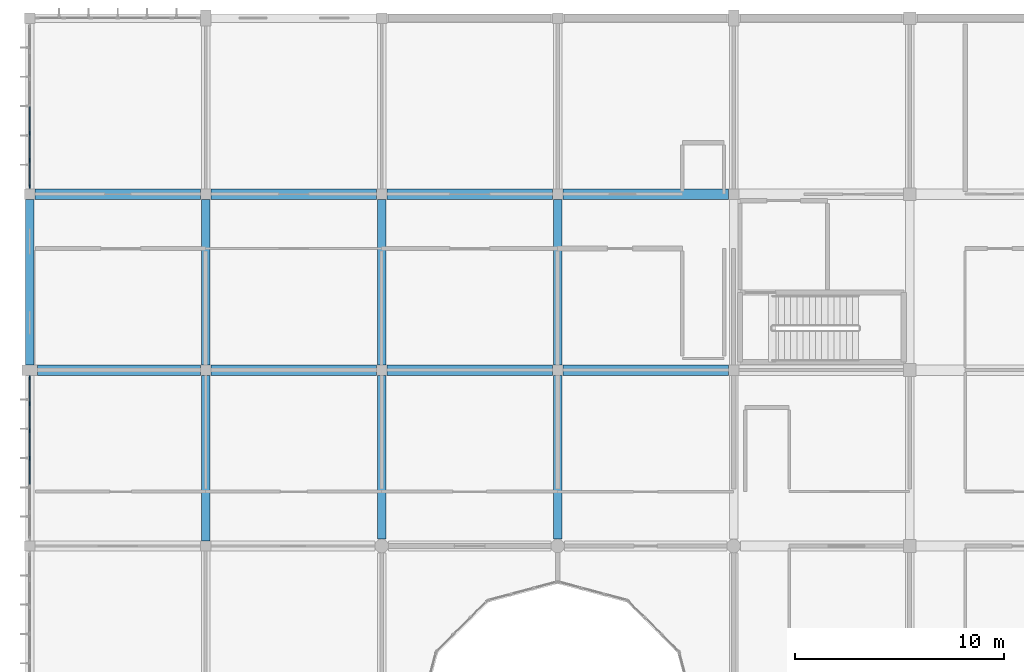
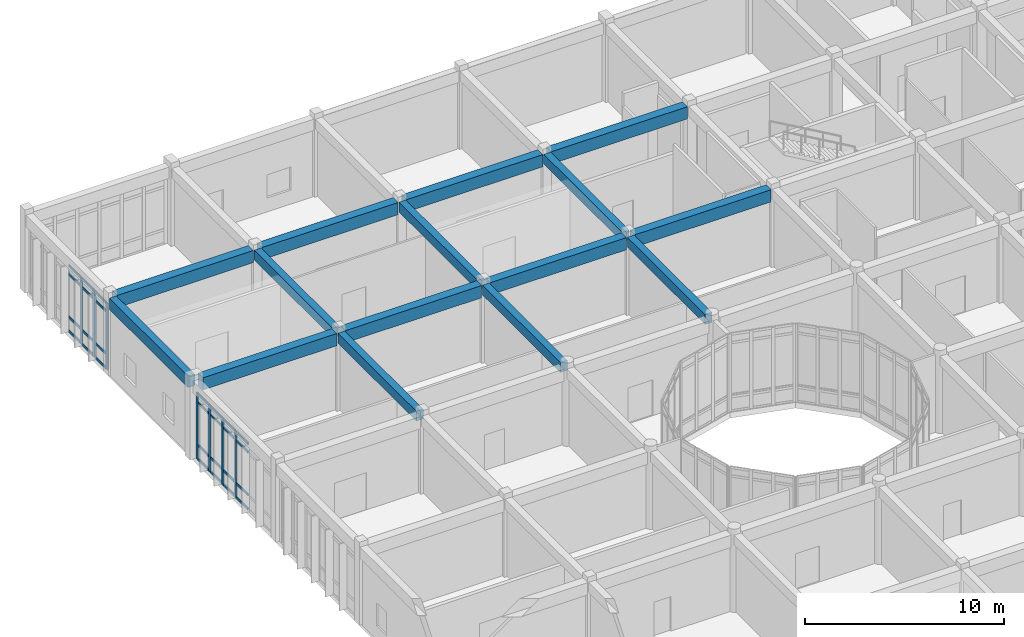
# One storey, part 39 of 134: 35 members, 15 beams, 2 elements without a shape of their own.
"""IFC4 building model written with IfcOpenShell, lengths in metres."""

from ifc_helpers import new_model, si_unit, direction, frame, origin, origin_2d, place, context, subcontext, project, spatial, rectangle, extrude, material, layer, layer_set, material_profile, profile_set, type_object, element, aggregate, save


model = new_model("IFC4")

# Units and contexts
model_context = context("Model", 3, precision=1e-05, world=origin(), true_north=direction((0.0, 1.0)))
body_context = subcontext(model_context, "Body", "Model", "MODEL_VIEW")
ifc_project = project(units=[si_unit("LENGTHUNIT", "METRE"), si_unit("AREAUNIT", "SQUARE_METRE"), si_unit("VOLUMEUNIT", "CUBIC_METRE"), si_unit("PLANEANGLEUNIT", "RADIAN"), si_unit("MASSUNIT", "GRAM", prefix="KILO")], contexts=[model_context])

# Site, building, storey
site_placement = place(None, origin())
site = spatial("IfcSite", under=ifc_project, at=site_placement, CompositionType="ELEMENT")
building_placement = place(site_placement, origin())
building = spatial("IfcBuilding", under=site, at=building_placement, Name="Bramfleet General Hospital", CompositionType="ELEMENT")
storey_placement = place(building_placement, frame((0.0, 0.0, 9.300048828125)))
storey = spatial("IfcBuildingStorey", under=building, at=storey_placement, Name="L02", CompositionType="ELEMENT", Elevation=9.300048828125)

# Beams
ifc_material_1 = material(Name="Concrete C35/45", Category="concrete")
ifc_material_profile_1 = material_profile(ifc_material_1, rectangle(XDim=0.39990234375, YDim=0.60009765625, at=origin_2d()), Name="RC BM 600x400")
ifc_profile_set_1 = profile_set([ifc_material_profile_1], Name="Concrete C35/45")
beam_type_1 = type_object("IfcBeamType", Name="BM-RC600", PredefinedType="BEAM", material=ifc_profile_set_1)
beam_1_placement = place(storey_placement, frame((8.39990234375, 92.64990234375, 4.47998046875), z_axis=(0.0, 1.0, 0.0), x_axis=(-1.0, 0.0, 0.0)))
element("IfcBeam", 1, at=beam_1_placement, inside=storey, type_object=beam_type_1, Name="L02 Grid Beam Y 01-11", PredefinedType="BEAM", context=body_context, shape_type="SweptSolid", body=[
    extrude(rectangle(XDim=0.39990234375, YDim=0.60009765625, at=origin_2d()), origin(), (0.0, 0.0, 1.0), 7.900146484375),
])
beam_2_placement = place(storey_placement, frame((8.39990234375, 101.050048828125, 4.47998046875), z_axis=(0.0, 1.0, 0.0), x_axis=(-1.0, 0.0, 0.0)))
element("IfcBeam", 2, at=beam_2_placement, inside=storey, type_object=beam_type_1, Name="L02 Grid Beam Y 01-12", PredefinedType="BEAM", context=body_context, shape_type="SweptSolid", body=[
    extrude(rectangle(XDim=0.39990234375, YDim=0.60009765625, at=origin_2d()), origin(), (0.0, 0.0, 1.0), 7.89990234375),
])
beam_3_placement = place(storey_placement, frame((16.800048828125, 92.72509765625, 4.47998046875), z_axis=(0.0, 1.0, 0.0), x_axis=(-1.0, 0.0, 0.0)))
element("IfcBeam", 3, at=beam_3_placement, inside=storey, type_object=beam_type_1, Name="L02 Grid Beam Y 02-11", PredefinedType="BEAM", context=body_context, shape_type="SweptSolid", body=[
    extrude(rectangle(XDim=0.39990234375, YDim=0.60009765625, at=origin_2d()), origin(), (0.0, 0.0, 1.0), 7.824951171875),
])
beam_4_placement = place(storey_placement, frame((16.800048828125, 101.050048828125, 4.47998046875), z_axis=(0.0, 1.0, 0.0), x_axis=(-1.0, 0.0, 0.0)))
element("IfcBeam", 4, at=beam_4_placement, inside=storey, type_object=beam_type_1, Name="L02 Grid Beam Y 02-12", PredefinedType="BEAM", context=body_context, shape_type="SweptSolid", body=[
    extrude(rectangle(XDim=0.39990234375, YDim=0.60009765625, at=origin_2d()), origin(), (0.0, 0.0, 1.0), 7.89990234375),
])
beam_5_placement = place(storey_placement, frame((25.199951171875, 92.72509765625, 4.47998046875), z_axis=(0.0, 1.0, 0.0), x_axis=(-1.0, 0.0, 0.0)))
element("IfcBeam", 5, at=beam_5_placement, inside=storey, type_object=beam_type_1, Name="L02 Grid Beam Y 03-11", PredefinedType="BEAM", context=body_context, shape_type="SweptSolid", body=[
    extrude(rectangle(XDim=0.39990234375, YDim=0.60009765625, at=origin_2d()), origin(), (0.0, 0.0, 1.0), 7.824951171875),
])
beam_6_placement = place(storey_placement, frame((25.199951171875, 101.050048828125, 4.47998046875), z_axis=(0.0, 1.0, 0.0), x_axis=(-1.0, 0.0, 0.0)))
element("IfcBeam", 6, at=beam_6_placement, inside=storey, type_object=beam_type_1, Name="L02 Grid Beam Y 03-12", PredefinedType="BEAM", context=body_context, shape_type="SweptSolid", body=[
    extrude(rectangle(XDim=0.39990234375, YDim=0.60009765625, at=origin_2d()), origin(), (0.0, 0.0, 1.0), 7.89990234375),
])
ifc_material_profile_2 = material_profile(ifc_material_1, rectangle(XDim=0.5, YDim=0.75, at=origin_2d()), Name="RC BM 750x500")
ifc_profile_set_2 = profile_set([ifc_material_profile_2], Name="Concrete C35/45")
beam_type_2 = type_object("IfcBeamType", Name="BM-RC750", PredefinedType="BEAM", material=ifc_profile_set_2)
beam_7_placement = place(storey_placement, frame((0.375, 100.800048828125, 4.405029296875), z_axis=(1.0, 0.0, 0.0), x_axis=(0.0, 1.0, 0.0)))
element("IfcBeam", 7, at=beam_7_placement, inside=storey, type_object=beam_type_2, Name="L02 Grid Beam X 00-12", PredefinedType="BEAM", context=body_context, shape_type="SweptSolid", body=[
    extrude(rectangle(XDim=0.5, YDim=0.75, at=origin_2d()), origin(), (0.0, 0.0, 1.0), 7.77490234375),
])
beam_8_placement = place(storey_placement, frame((0.25, 109.199951171875, 4.405029296875), z_axis=(1.0, 0.0, 0.0), x_axis=(0.0, 1.0, 0.0)))
element("IfcBeam", 8, at=beam_8_placement, inside=storey, type_object=beam_type_2, Name="L02 Grid Beam X 00-13", PredefinedType="BEAM", context=body_context, shape_type="SweptSolid", body=[
    extrude(rectangle(XDim=0.5, YDim=0.75, at=origin_2d()), origin(), (0.0, 0.0, 1.0), 7.89990234375),
])
for number, where, z_axis, x_axis, name in (
    (9, (8.64990234375, 100.800048828125, 4.405029296875), (1.0, 0.0, 0.0), (0.0, 1.0, 0.0), "L02 Grid Beam X 01-12"),
    (10, (8.64990234375, 109.199951171875, 4.405029296875), (1.0, 0.0, 0.0), (0.0, 1.0, 0.0), "L02 Grid Beam X 01-13"),
):
    element("IfcBeam", number, at=place(storey_placement, frame(where, z_axis=z_axis, x_axis=x_axis)), inside=storey, type_object=beam_type_2, Name=name, PredefinedType="BEAM", context=body_context, shape_type="SweptSolid", body=[
        extrude(rectangle(XDim=0.5, YDim=0.75, at=origin_2d()), origin(), (0.0, 0.0, 1.0), 7.900146484375),
    ])
for number, where, z_axis, x_axis, name in (
    (11, (17.050048828125, 100.800048828125, 4.405029296875), (1.0, 0.0, 0.0), (0.0, 1.0, 0.0), "L02 Grid Beam X 02-12"),
    (12, (17.050048828125, 109.199951171875, 4.405029296875), (1.0, 0.0, 0.0), (0.0, 1.0, 0.0), "L02 Grid Beam X 02-13"),
):
    element("IfcBeam", number, at=place(storey_placement, frame(where, z_axis=z_axis, x_axis=x_axis)), inside=storey, type_object=beam_type_2, Name=name, PredefinedType="BEAM", context=body_context, shape_type="SweptSolid", body=[
        extrude(rectangle(XDim=0.5, YDim=0.75, at=origin_2d()), origin(), (0.0, 0.0, 1.0), 7.89990234375),
    ])
for number, where, z_axis, x_axis, name in (
    (13, (25.449951171875, 100.800048828125, 4.405029296875), (1.0, 0.0, 0.0), (0.0, 1.0, 0.0), "L02 Grid Beam X 03-12"),
    (14, (25.449951171875, 109.199951171875, 4.405029296875), (1.0, 0.0, 0.0), (0.0, 1.0, 0.0), "L02 Grid Beam X 03-13"),
):
    element("IfcBeam", number, at=place(storey_placement, frame(where, z_axis=z_axis, x_axis=x_axis)), inside=storey, type_object=beam_type_2, Name=name, PredefinedType="BEAM", context=body_context, shape_type="SweptSolid", body=[
        extrude(rectangle(XDim=0.5, YDim=0.75, at=origin_2d()), origin(), (0.0, 0.0, 1.0), 7.900146484375),
    ])
ifc_material_profile_3 = material_profile(ifc_material_1, rectangle(XDim=0.39990234375, YDim=0.699951171875, at=origin_2d()), Name="RC SP 700x400")
ifc_profile_set_3 = profile_set([ifc_material_profile_3], Name="Concrete C35/45")
beam_type_3 = type_object("IfcBeamType", Name="BM-SP700", PredefinedType="SPANDREL", material=ifc_profile_set_3)
beam_9_placement = place(storey_placement, frame((0.0, 101.050048828125, 4.429931640625), z_axis=(0.0, 1.0, 0.0), x_axis=(-1.0, 0.0, 0.0)))
element("IfcBeam", 15, at=beam_9_placement, inside=storey, type_object=beam_type_3, Name="L02 Grid Beam Y 00-12", PredefinedType="SPANDREL", context=body_context, shape_type="SweptSolid", body=[
    extrude(rectangle(XDim=0.39990234375, YDim=0.699951171875, at=origin_2d()), origin(), (0.0, 0.0, 1.0), 7.89990234375),
])

# Curtain wall, members
ifc_material_2 = material(Name="Anodised aluminium and low-E triple glazing", Category="aluminium")
ifc_layer_1 = layer(ifc_material_2, 0.179931640625, Name="CWT-CW-06")
ifc_layer_set_1 = layer_set([ifc_layer_1], Name="Anodised aluminium and low-E triple glazing")
curtain_wall_type_1 = type_object("IfcCurtainWallType", Name="CWT-CW-06", PredefinedType="USERDEFINED", material=ifc_layer_set_1)
curtain_wall_1_placement = place(storey_placement, origin())
curtain_wall_1 = element("IfcCurtainWall", 16, at=curtain_wall_1_placement, inside=storey, type_object=curtain_wall_type_1, Name="L02 Curtain Wall 96", ObjectType="Unitised curtain wall", PredefinedType="USERDEFINED")
ifc_material_3 = material(Name="Structural timber GL28h", Category="wood")
ifc_material_profile_4 = material_profile(ifc_material_3, rectangle(XDim=0.070068359375, YDim=0.18994140625, at=origin_2d()), Name="LARCH 190x70")
ifc_profile_set_4 = profile_set([ifc_material_profile_4], Name="Structural timber GL28h")
member_type_1 = type_object("IfcMemberType", Name="CWM-LARCH450", PredefinedType="MULLION", material=ifc_profile_set_4)
member_1_placement = place(storey_placement, frame((0.0, 96.60009765625, 0.0), z_axis=(0.0, 0.0, 1.0), x_axis=(-1.0, 0.0, 0.0)))
member_1 = element("IfcMember", 17, at=member_1_placement, type_object=member_type_1, Name="CW-06 mullion 4", PredefinedType="MULLION", context=body_context, shape_type="SweptSolid", body=[
    extrude(rectangle(XDim=0.070068359375, YDim=0.18994140625, at=origin_2d()), origin(), (0.0, 0.0, 1.0), 4.070068359375),
])
member_2_placement = place(storey_placement, frame((0.0, 97.8916015625, 0.0), z_axis=(0.0, 0.0, 1.0), x_axis=(-1.0, 0.0, 0.0)))
member_2 = element("IfcMember", 18, at=member_2_placement, type_object=member_type_1, Name="CW-06 mullion 5", PredefinedType="MULLION", context=body_context, shape_type="SweptSolid", body=[
    extrude(rectangle(XDim=0.070068359375, YDim=0.18994140625, at=origin_2d()), origin(), (0.0, 0.0, 1.0), 4.070068359375),
])
member_3_placement = place(storey_placement, frame((0.0, 99.183349609375, 0.0), z_axis=(0.0, 0.0, 1.0), x_axis=(-1.0, 0.0, 0.0)))
member_3 = element("IfcMember", 19, at=member_3_placement, type_object=member_type_1, Name="CW-06 mullion 6", PredefinedType="MULLION", context=body_context, shape_type="SweptSolid", body=[
    extrude(rectangle(XDim=0.070068359375, YDim=0.18994140625, at=origin_2d()), origin(), (0.0, 0.0, 1.0), 4.070068359375),
])
member_4_placement = place(storey_placement, frame((0.0, 100.43994140625, 0.0), z_axis=(0.0, 0.0, 1.0), x_axis=(-1.0, 0.0, 0.0)))
member_4 = element("IfcMember", 20, at=member_4_placement, type_object=member_type_1, Name="CW-06 mullion 7", PredefinedType="MULLION", context=body_context, shape_type="SweptSolid", body=[
    extrude(rectangle(XDim=0.070068359375, YDim=0.18994140625, at=origin_2d()), origin(), (0.0, 0.0, 1.0), 4.070068359375),
])

ifc_layer_2 = layer(ifc_material_2, 0.179931640625, Name="CWT-CW-07")
ifc_layer_set_2 = layer_set([ifc_layer_2], Name="Anodised aluminium and low-E triple glazing")
curtain_wall_type_2 = type_object("IfcCurtainWallType", Name="CWT-CW-07", PredefinedType="USERDEFINED", material=ifc_layer_set_2)
curtain_wall_2_placement = place(storey_placement, origin())
curtain_wall_2 = element("IfcCurtainWall", 21, at=curtain_wall_2_placement, inside=storey, type_object=curtain_wall_type_2, Name="L02 Curtain Wall 97", ObjectType="Unitised curtain wall", PredefinedType="USERDEFINED")
member_5_placement = place(storey_placement, frame((0.0, 109.56005859375, 0.0), z_axis=(0.0, 0.0, 1.0), x_axis=(-1.0, 0.0, 0.0)))
member_5 = element("IfcMember", 22, at=member_5_placement, type_object=member_type_1, Name="CW-07 mullion 1", PredefinedType="MULLION", context=body_context, shape_type="SweptSolid", body=[
    extrude(rectangle(XDim=0.070068359375, YDim=0.18994140625, at=origin_2d()), origin(), (0.0, 0.0, 1.0), 4.070068359375),
])
member_6_placement = place(storey_placement, frame((0.0, 110.816650390625, 0.0), z_axis=(0.0, 0.0, 1.0), x_axis=(-1.0, 0.0, 0.0)))
member_6 = element("IfcMember", 23, at=member_6_placement, type_object=member_type_1, Name="CW-07 mullion 2", PredefinedType="MULLION", context=body_context, shape_type="SweptSolid", body=[
    extrude(rectangle(XDim=0.070068359375, YDim=0.18994140625, at=origin_2d()), origin(), (0.0, 0.0, 1.0), 4.070068359375),
])
member_7_placement = place(storey_placement, frame((0.0, 112.1083984375, 0.0), z_axis=(0.0, 0.0, 1.0), x_axis=(-1.0, 0.0, 0.0)))
member_7 = element("IfcMember", 24, at=member_7_placement, type_object=member_type_1, Name="CW-07 mullion 3", PredefinedType="MULLION", context=body_context, shape_type="SweptSolid", body=[
    extrude(rectangle(XDim=0.070068359375, YDim=0.18994140625, at=origin_2d()), origin(), (0.0, 0.0, 1.0), 4.070068359375),
])

# Member
ifc_material_profile_5 = material_profile(ifc_material_3, rectangle(XDim=0.06494140625, YDim=0.14990234375, at=origin_2d()), Name="LARCH 150x65")
ifc_profile_set_5 = profile_set([ifc_material_profile_5], Name="Structural timber GL28h")
member_type_2 = type_object("IfcMemberType", Name="CWT-LARCH220", PredefinedType="USERDEFINED", material=ifc_profile_set_5)
member_8_placement = place(storey_placement, frame((0.0, 95.34326171875, 0.032470703125), z_axis=(0.0, 1.0, 0.0), x_axis=(-1.0, 0.0, 0.0)))
member_8 = element("IfcMember", 25, at=member_8_placement, type_object=member_type_2, Name="CW-06 transom 3.1", ObjectType="TRANSOM", PredefinedType="USERDEFINED", context=body_context, shape_type="SweptSolid", body=[
    extrude(rectangle(XDim=0.06494140625, YDim=0.14990234375, at=origin_2d()), origin(), (0.0, 0.0, 1.0), 1.2216796875),
])

member_9_placement = place(storey_placement, frame((0.0, 95.34326171875, 0.89990234375), z_axis=(0.0, 1.0, 0.0), x_axis=(-1.0, 0.0, 0.0)))
member_9 = element("IfcMember", 26, at=member_9_placement, type_object=member_type_2, Name="CW-06 transom 3.2", ObjectType="TRANSOM", PredefinedType="USERDEFINED", context=body_context, shape_type="SweptSolid", body=[
    extrude(rectangle(XDim=0.06494140625, YDim=0.14990234375, at=origin_2d()), origin(), (0.0, 0.0, 1.0), 1.2216796875),
])

member_10_placement = place(storey_placement, frame((0.0, 95.34326171875, 3.52001953125), z_axis=(0.0, 1.0, 0.0), x_axis=(-1.0, 0.0, 0.0)))
member_10 = element("IfcMember", 27, at=member_10_placement, type_object=member_type_2, Name="CW-06 transom 3.3", ObjectType="TRANSOM", PredefinedType="USERDEFINED", context=body_context, shape_type="SweptSolid", body=[
    extrude(rectangle(XDim=0.06494140625, YDim=0.14990234375, at=origin_2d()), origin(), (0.0, 0.0, 1.0), 1.2216796875),
])

member_11_placement = place(storey_placement, frame((0.0, 95.34326171875, 4.037353515625), z_axis=(0.0, 1.0, 0.0), x_axis=(-1.0, 0.0, 0.0)))
member_11 = element("IfcMember", 28, at=member_11_placement, type_object=member_type_2, Name="CW-06 transom 3.4", ObjectType="TRANSOM", PredefinedType="USERDEFINED", context=body_context, shape_type="SweptSolid", body=[
    extrude(rectangle(XDim=0.06494140625, YDim=0.14990234375, at=origin_2d()), origin(), (0.0, 0.0, 1.0), 1.2216796875),
])

member_12_placement = place(storey_placement, frame((0.0, 96.635009765625, 0.032470703125), z_axis=(0.0, 1.0, 0.0), x_axis=(-1.0, 0.0, 0.0)))
member_12 = element("IfcMember", 29, at=member_12_placement, type_object=member_type_2, Name="CW-06 transom 4.1", ObjectType="TRANSOM", PredefinedType="USERDEFINED", context=body_context, shape_type="SweptSolid", body=[
    extrude(rectangle(XDim=0.06494140625, YDim=0.14990234375, at=origin_2d()), origin(), (0.0, 0.0, 1.0), 1.2216796875),
])

member_13_placement = place(storey_placement, frame((0.0, 96.635009765625, 0.89990234375), z_axis=(0.0, 1.0, 0.0), x_axis=(-1.0, 0.0, 0.0)))
member_13 = element("IfcMember", 30, at=member_13_placement, type_object=member_type_2, Name="CW-06 transom 4.2", ObjectType="TRANSOM", PredefinedType="USERDEFINED", context=body_context, shape_type="SweptSolid", body=[
    extrude(rectangle(XDim=0.06494140625, YDim=0.14990234375, at=origin_2d()), origin(), (0.0, 0.0, 1.0), 1.2216796875),
])

member_14_placement = place(storey_placement, frame((0.0, 96.635009765625, 3.52001953125), z_axis=(0.0, 1.0, 0.0), x_axis=(-1.0, 0.0, 0.0)))
member_14 = element("IfcMember", 31, at=member_14_placement, type_object=member_type_2, Name="CW-06 transom 4.3", ObjectType="TRANSOM", PredefinedType="USERDEFINED", context=body_context, shape_type="SweptSolid", body=[
    extrude(rectangle(XDim=0.06494140625, YDim=0.14990234375, at=origin_2d()), origin(), (0.0, 0.0, 1.0), 1.2216796875),
])

member_15_placement = place(storey_placement, frame((0.0, 96.635009765625, 4.037353515625), z_axis=(0.0, 1.0, 0.0), x_axis=(-1.0, 0.0, 0.0)))
member_15 = element("IfcMember", 32, at=member_15_placement, type_object=member_type_2, Name="CW-06 transom 4.4", ObjectType="TRANSOM", PredefinedType="USERDEFINED", context=body_context, shape_type="SweptSolid", body=[
    extrude(rectangle(XDim=0.06494140625, YDim=0.14990234375, at=origin_2d()), origin(), (0.0, 0.0, 1.0), 1.2216796875),
])

member_16_placement = place(storey_placement, frame((0.0, 97.9267578125, 0.032470703125), z_axis=(0.0, 1.0, 0.0), x_axis=(-1.0, 0.0, 0.0)))
member_16 = element("IfcMember", 33, at=member_16_placement, type_object=member_type_2, Name="CW-06 transom 5.1", ObjectType="TRANSOM", PredefinedType="USERDEFINED", context=body_context, shape_type="SweptSolid", body=[
    extrude(rectangle(XDim=0.06494140625, YDim=0.14990234375, at=origin_2d()), origin(), (0.0, 0.0, 1.0), 1.2216796875),
])

member_17_placement = place(storey_placement, frame((0.0, 97.9267578125, 0.89990234375), z_axis=(0.0, 1.0, 0.0), x_axis=(-1.0, 0.0, 0.0)))
member_17 = element("IfcMember", 34, at=member_17_placement, type_object=member_type_2, Name="CW-06 transom 5.2", ObjectType="TRANSOM", PredefinedType="USERDEFINED", context=body_context, shape_type="SweptSolid", body=[
    extrude(rectangle(XDim=0.06494140625, YDim=0.14990234375, at=origin_2d()), origin(), (0.0, 0.0, 1.0), 1.2216796875),
])

member_18_placement = place(storey_placement, frame((0.0, 97.9267578125, 3.52001953125), z_axis=(0.0, 1.0, 0.0), x_axis=(-1.0, 0.0, 0.0)))
member_18 = element("IfcMember", 35, at=member_18_placement, type_object=member_type_2, Name="CW-06 transom 5.3", ObjectType="TRANSOM", PredefinedType="USERDEFINED", context=body_context, shape_type="SweptSolid", body=[
    extrude(rectangle(XDim=0.06494140625, YDim=0.14990234375, at=origin_2d()), origin(), (0.0, 0.0, 1.0), 1.2216796875),
])

member_19_placement = place(storey_placement, frame((0.0, 97.9267578125, 4.037353515625), z_axis=(0.0, 1.0, 0.0), x_axis=(-1.0, 0.0, 0.0)))
member_19 = element("IfcMember", 36, at=member_19_placement, type_object=member_type_2, Name="CW-06 transom 5.4", ObjectType="TRANSOM", PredefinedType="USERDEFINED", context=body_context, shape_type="SweptSolid", body=[
    extrude(rectangle(XDim=0.06494140625, YDim=0.14990234375, at=origin_2d()), origin(), (0.0, 0.0, 1.0), 1.2216796875),
])

member_20_placement = place(storey_placement, frame((0.0, 99.21826171875, 0.032470703125), z_axis=(0.0, 1.0, 0.0), x_axis=(-1.0, 0.0, 0.0)))
member_20 = element("IfcMember", 37, at=member_20_placement, type_object=member_type_2, Name="CW-06 transom 6.1", ObjectType="TRANSOM", PredefinedType="USERDEFINED", context=body_context, shape_type="SweptSolid", body=[
    extrude(rectangle(XDim=0.06494140625, YDim=0.14990234375, at=origin_2d()), origin(), (0.0, 0.0, 1.0), 1.186767578125),
])

member_21_placement = place(storey_placement, frame((0.0, 99.21826171875, 0.89990234375), z_axis=(0.0, 1.0, 0.0), x_axis=(-1.0, 0.0, 0.0)))
member_21 = element("IfcMember", 38, at=member_21_placement, type_object=member_type_2, Name="CW-06 transom 6.2", ObjectType="TRANSOM", PredefinedType="USERDEFINED", context=body_context, shape_type="SweptSolid", body=[
    extrude(rectangle(XDim=0.06494140625, YDim=0.14990234375, at=origin_2d()), origin(), (0.0, 0.0, 1.0), 1.186767578125),
])

member_22_placement = place(storey_placement, frame((0.0, 99.21826171875, 3.52001953125), z_axis=(0.0, 1.0, 0.0), x_axis=(-1.0, 0.0, 0.0)))
member_22 = element("IfcMember", 39, at=member_22_placement, type_object=member_type_2, Name="CW-06 transom 6.3", ObjectType="TRANSOM", PredefinedType="USERDEFINED", context=body_context, shape_type="SweptSolid", body=[
    extrude(rectangle(XDim=0.06494140625, YDim=0.14990234375, at=origin_2d()), origin(), (0.0, 0.0, 1.0), 1.186767578125),
])

member_23_placement = place(storey_placement, frame((0.0, 99.21826171875, 4.037353515625), z_axis=(0.0, 1.0, 0.0), x_axis=(-1.0, 0.0, 0.0)))
member_23 = element("IfcMember", 40, at=member_23_placement, type_object=member_type_2, Name="CW-06 transom 6.4", ObjectType="TRANSOM", PredefinedType="USERDEFINED", context=body_context, shape_type="SweptSolid", body=[
    extrude(rectangle(XDim=0.06494140625, YDim=0.14990234375, at=origin_2d()), origin(), (0.0, 0.0, 1.0), 1.186767578125),
])

aggregate(curtain_wall_1, [member_1, member_2, member_3, member_4, member_8, member_9, member_10, member_11, member_12, member_13, member_14, member_15, member_16, member_17, member_18, member_19, member_20, member_21, member_22, member_23])

member_24_placement = place(storey_placement, frame((0.0, 109.594970703125, 0.032470703125), z_axis=(0.0, 1.0, 0.0), x_axis=(-1.0, 0.0, 0.0)))
member_24 = element("IfcMember", 41, at=member_24_placement, type_object=member_type_2, Name="CW-07 transom 1.1", ObjectType="TRANSOM", PredefinedType="USERDEFINED", context=body_context, shape_type="SweptSolid", body=[
    extrude(rectangle(XDim=0.06494140625, YDim=0.14990234375, at=origin_2d()), origin(), (0.0, 0.0, 1.0), 1.186767578125),
])

member_25_placement = place(storey_placement, frame((0.0, 109.594970703125, 0.89990234375), z_axis=(0.0, 1.0, 0.0), x_axis=(-1.0, 0.0, 0.0)))
member_25 = element("IfcMember", 42, at=member_25_placement, type_object=member_type_2, Name="CW-07 transom 1.2", ObjectType="TRANSOM", PredefinedType="USERDEFINED", context=body_context, shape_type="SweptSolid", body=[
    extrude(rectangle(XDim=0.06494140625, YDim=0.14990234375, at=origin_2d()), origin(), (0.0, 0.0, 1.0), 1.186767578125),
])

member_26_placement = place(storey_placement, frame((0.0, 109.594970703125, 3.52001953125), z_axis=(0.0, 1.0, 0.0), x_axis=(-1.0, 0.0, 0.0)))
member_26 = element("IfcMember", 43, at=member_26_placement, type_object=member_type_2, Name="CW-07 transom 1.3", ObjectType="TRANSOM", PredefinedType="USERDEFINED", context=body_context, shape_type="SweptSolid", body=[
    extrude(rectangle(XDim=0.06494140625, YDim=0.14990234375, at=origin_2d()), origin(), (0.0, 0.0, 1.0), 1.186767578125),
])

member_27_placement = place(storey_placement, frame((0.0, 109.594970703125, 4.037353515625), z_axis=(0.0, 1.0, 0.0), x_axis=(-1.0, 0.0, 0.0)))
member_27 = element("IfcMember", 44, at=member_27_placement, type_object=member_type_2, Name="CW-07 transom 1.4", ObjectType="TRANSOM", PredefinedType="USERDEFINED", context=body_context, shape_type="SweptSolid", body=[
    extrude(rectangle(XDim=0.06494140625, YDim=0.14990234375, at=origin_2d()), origin(), (0.0, 0.0, 1.0), 1.186767578125),
])

member_28_placement = place(storey_placement, frame((0.0, 110.8515625, 0.032470703125), z_axis=(0.0, 1.0, 0.0), x_axis=(-1.0, 0.0, 0.0)))
member_28 = element("IfcMember", 45, at=member_28_placement, type_object=member_type_2, Name="CW-07 transom 2.1", ObjectType="TRANSOM", PredefinedType="USERDEFINED", context=body_context, shape_type="SweptSolid", body=[
    extrude(rectangle(XDim=0.06494140625, YDim=0.14990234375, at=origin_2d()), origin(), (0.0, 0.0, 1.0), 1.2216796875),
])

member_29_placement = place(storey_placement, frame((0.0, 110.8515625, 0.89990234375), z_axis=(0.0, 1.0, 0.0), x_axis=(-1.0, 0.0, 0.0)))
member_29 = element("IfcMember", 46, at=member_29_placement, type_object=member_type_2, Name="CW-07 transom 2.2", ObjectType="TRANSOM", PredefinedType="USERDEFINED", context=body_context, shape_type="SweptSolid", body=[
    extrude(rectangle(XDim=0.06494140625, YDim=0.14990234375, at=origin_2d()), origin(), (0.0, 0.0, 1.0), 1.2216796875),
])

member_30_placement = place(storey_placement, frame((0.0, 110.8515625, 3.52001953125), z_axis=(0.0, 1.0, 0.0), x_axis=(-1.0, 0.0, 0.0)))
member_30 = element("IfcMember", 47, at=member_30_placement, type_object=member_type_2, Name="CW-07 transom 2.3", ObjectType="TRANSOM", PredefinedType="USERDEFINED", context=body_context, shape_type="SweptSolid", body=[
    extrude(rectangle(XDim=0.06494140625, YDim=0.14990234375, at=origin_2d()), origin(), (0.0, 0.0, 1.0), 1.2216796875),
])

member_31_placement = place(storey_placement, frame((0.0, 110.8515625, 4.037353515625), z_axis=(0.0, 1.0, 0.0), x_axis=(-1.0, 0.0, 0.0)))
member_31 = element("IfcMember", 48, at=member_31_placement, type_object=member_type_2, Name="CW-07 transom 2.4", ObjectType="TRANSOM", PredefinedType="USERDEFINED", context=body_context, shape_type="SweptSolid", body=[
    extrude(rectangle(XDim=0.06494140625, YDim=0.14990234375, at=origin_2d()), origin(), (0.0, 0.0, 1.0), 1.2216796875),
])

member_32_placement = place(storey_placement, frame((0.0, 112.143310546875, 0.032470703125), z_axis=(0.0, 1.0, 0.0), x_axis=(-1.0, 0.0, 0.0)))
member_32 = element("IfcMember", 49, at=member_32_placement, type_object=member_type_2, Name="CW-07 transom 3.1", ObjectType="TRANSOM", PredefinedType="USERDEFINED", context=body_context, shape_type="SweptSolid", body=[
    extrude(rectangle(XDim=0.06494140625, YDim=0.14990234375, at=origin_2d()), origin(), (0.0, 0.0, 1.0), 1.2216796875),
])

member_33_placement = place(storey_placement, frame((0.0, 112.143310546875, 0.89990234375), z_axis=(0.0, 1.0, 0.0), x_axis=(-1.0, 0.0, 0.0)))
member_33 = element("IfcMember", 50, at=member_33_placement, type_object=member_type_2, Name="CW-07 transom 3.2", ObjectType="TRANSOM", PredefinedType="USERDEFINED", context=body_context, shape_type="SweptSolid", body=[
    extrude(rectangle(XDim=0.06494140625, YDim=0.14990234375, at=origin_2d()), origin(), (0.0, 0.0, 1.0), 1.2216796875),
])

member_34_placement = place(storey_placement, frame((0.0, 112.143310546875, 3.52001953125), z_axis=(0.0, 1.0, 0.0), x_axis=(-1.0, 0.0, 0.0)))
member_34 = element("IfcMember", 51, at=member_34_placement, type_object=member_type_2, Name="CW-07 transom 3.3", ObjectType="TRANSOM", PredefinedType="USERDEFINED", context=body_context, shape_type="SweptSolid", body=[
    extrude(rectangle(XDim=0.06494140625, YDim=0.14990234375, at=origin_2d()), origin(), (0.0, 0.0, 1.0), 1.2216796875),
])

member_35_placement = place(storey_placement, frame((0.0, 112.143310546875, 4.037353515625), z_axis=(0.0, 1.0, 0.0), x_axis=(-1.0, 0.0, 0.0)))
member_35 = element("IfcMember", 52, at=member_35_placement, type_object=member_type_2, Name="CW-07 transom 3.4", ObjectType="TRANSOM", PredefinedType="USERDEFINED", context=body_context, shape_type="SweptSolid", body=[
    extrude(rectangle(XDim=0.06494140625, YDim=0.14990234375, at=origin_2d()), origin(), (0.0, 0.0, 1.0), 1.2216796875),
])

aggregate(curtain_wall_2, [member_5, member_6, member_7, member_24, member_25, member_26, member_27, member_28, member_29, member_30, member_31, member_32, member_33, member_34, member_35])

save(model, "model.ifc")
